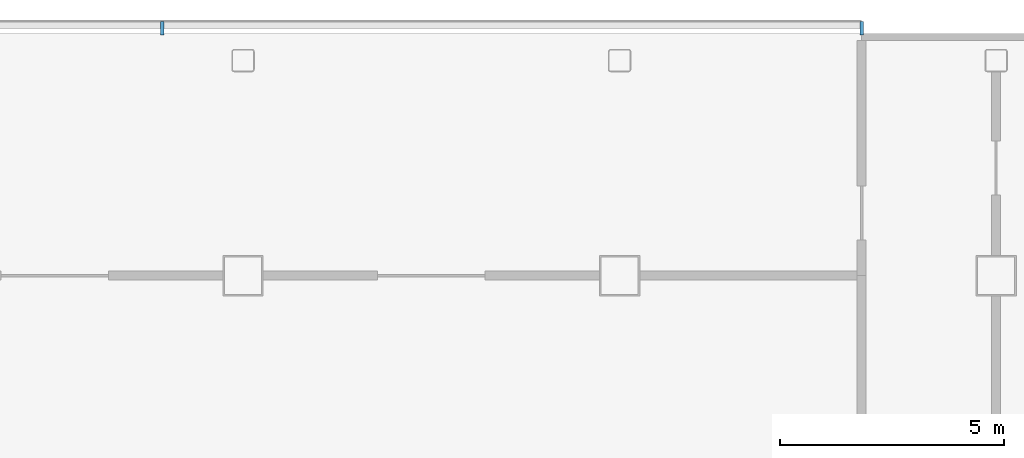
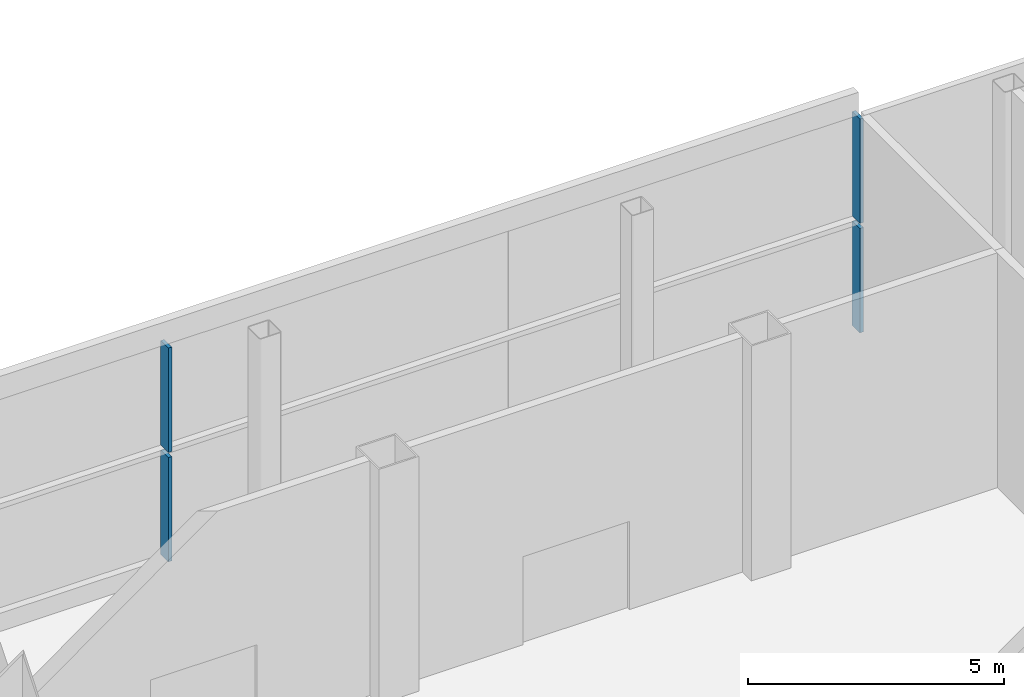
# One storey, part 18 of 100: 4 members, 1 element without a shape of its own.
"""IFC4 building model written with IfcOpenShell, lengths in metres."""

from ifc_helpers import new_model, si_unit, direction, frame, origin, origin_2d, place, context, subcontext, project, spatial, rectangle, extrude, material, layer, layer_set, material_profile, profile_set, type_object, element, aggregate, save


model = new_model("IFC4")

# Units and contexts
model_context = context("Model", 3, precision=1e-05, world=origin(), true_north=direction((0.0, 1.0)))
body_context = subcontext(model_context, "Body", "Model", "MODEL_VIEW")
ifc_project = project(units=[si_unit("LENGTHUNIT", "METRE"), si_unit("AREAUNIT", "SQUARE_METRE"), si_unit("VOLUMEUNIT", "CUBIC_METRE"), si_unit("PLANEANGLEUNIT", "RADIAN"), si_unit("MASSUNIT", "GRAM", prefix="KILO")], contexts=[model_context])

# Site, building, storey
site_placement = place(None, origin())
site = spatial("IfcSite", under=ifc_project, at=site_placement, CompositionType="ELEMENT")
building_placement = place(site_placement, origin())
building = spatial("IfcBuilding", under=site, at=building_placement, Name="Hakoniwa Tower and Hamabe Station Hall", CompositionType="ELEMENT")
storey_placement = place(building_placement, frame((0.0, 0.0, 9.0)))
storey = spatial("IfcBuildingStorey", under=building, at=storey_placement, Name="L02", CompositionType="ELEMENT", Elevation=9.0)

# Curtain wall, members
ifc_material_1 = material(Name="Dark low-e laminated glass", Category="glass")
ifc_layer = layer(ifc_material_1, 0.199951171875)
ifc_layer_set = layer_set([ifc_layer], Name="CW-3 PODIUM LOBBY")
curtain_wall_type = type_object("IfcCurtainWallType", Name="CW-3 PODIUM LOBBY", PredefinedType="NOTDEFINED", material=ifc_layer_set)
curtain_wall_placement = place(storey_placement, origin())
curtain_wall = element("IfcCurtainWall", 1, at=curtain_wall_placement, inside=storey, type_object=curtain_wall_type, Name="Podium curtain wall L02 north 4", PredefinedType="NOTDEFINED")
ifc_material_2 = material(Name="Aluminium 6063-T5 black anodised", Category="aluminium")
ifc_material_profile = material_profile(ifc_material_2, rectangle(XDim=0.080078125, YDim=0.300048828125, at=origin_2d()), Name="CW-3 MULLION 80X300")
ifc_profile_set = profile_set([ifc_material_profile], Name="Aluminium 6063-T5 black anodised")
member_type = type_object("IfcMemberType", Name="CW-3 MULLION 80X300", PredefinedType="MULLION", material=ifc_profile_set)
member_1_placement = place(storey_placement, frame((39.0, 25.1220703125, 0.35009765625), z_axis=(0.0, 0.0, 1.0), x_axis=(-1.0, 0.0, 0.0)))
member_1 = element("IfcMember", 2, at=member_1_placement, type_object=member_type, Name="CW-3 mullion", PredefinedType="MULLION", context=body_context, shape_type="SweptSolid", body=[
    extrude(rectangle(XDim=0.080078125, YDim=0.300048828125, at=origin_2d()), origin(), (0.0, 0.0, 1.0), 2.489990234375),
])
member_2_placement = place(storey_placement, frame((39.0, 25.1220703125, 2.9599609375), z_axis=(0.0, 0.0, 1.0), x_axis=(-1.0, 0.0, 0.0)))
member_2 = element("IfcMember", 3, at=member_2_placement, type_object=member_type, Name="CW-3 mullion", PredefinedType="MULLION", context=body_context, shape_type="SweptSolid", body=[
    extrude(rectangle(XDim=0.080078125, YDim=0.300048828125, at=origin_2d()), origin(), (0.0, 0.0, 1.0), 2.489990234375),
])
member_3_placement = place(storey_placement, frame((23.39990234375, 25.1220703125, 0.35009765625), z_axis=(0.0, 0.0, 1.0), x_axis=(-1.0, 0.0, 0.0)))
member_3 = element("IfcMember", 4, at=member_3_placement, type_object=member_type, Name="CW-3 mullion", PredefinedType="MULLION", context=body_context, shape_type="SweptSolid", body=[
    extrude(rectangle(XDim=0.080078125, YDim=0.300048828125, at=origin_2d()), origin(), (0.0, 0.0, 1.0), 2.489990234375),
])
member_4_placement = place(storey_placement, frame((23.39990234375, 25.1220703125, 2.9599609375), z_axis=(0.0, 0.0, 1.0), x_axis=(-1.0, 0.0, 0.0)))
member_4 = element("IfcMember", 5, at=member_4_placement, type_object=member_type, Name="CW-3 mullion", PredefinedType="MULLION", context=body_context, shape_type="SweptSolid", body=[
    extrude(rectangle(XDim=0.080078125, YDim=0.300048828125, at=origin_2d()), origin(), (0.0, 0.0, 1.0), 2.489990234375),
])
aggregate(curtain_wall, [member_1, member_2, member_3, member_4])

save(model, "model.ifc")
